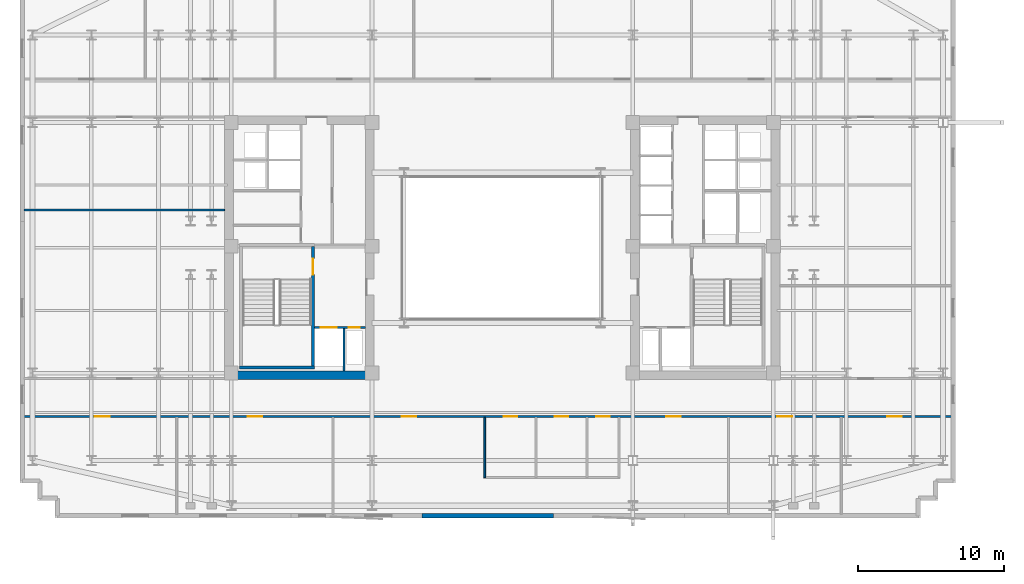
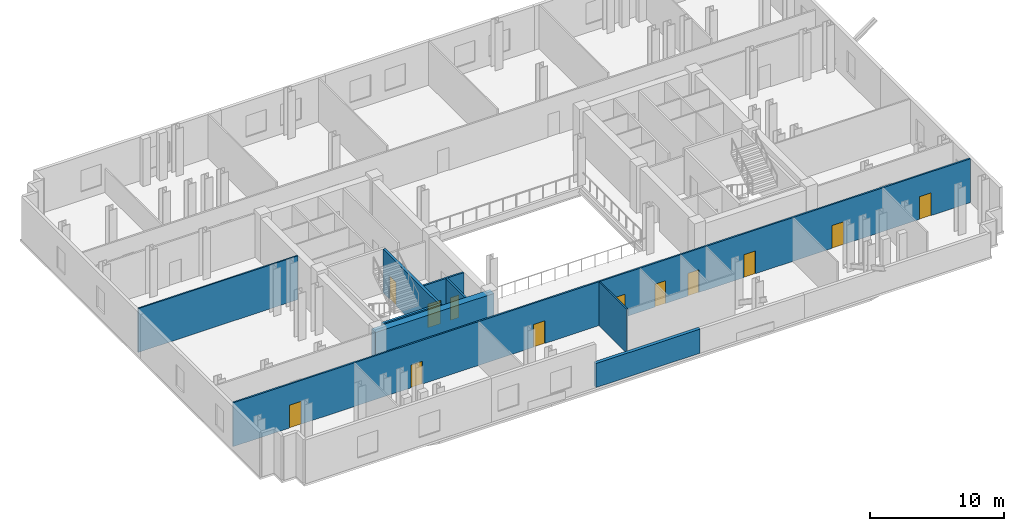
# One storey, part 4 of 9: 12 doors, 9 walls, 12 openings.
"""IFC4 building model written with IfcOpenShell, lengths in metres."""

from ifc_helpers import new_model, si_unit, direction, frame, frame_2d, origin, place, context, subcontext, project, spatial, rectangle, extrude, material, layer, layer_set, type_object, element, fill, save


model = new_model("IFC4")

# Units and contexts
model_context = context("Model", 3, precision=1e-05, world=origin(), true_north=direction((0.0, 1.0)))
body_context = subcontext(model_context, "Body", "Model", "MODEL_VIEW")
ifc_project = project(units=[si_unit("LENGTHUNIT", "METRE"), si_unit("AREAUNIT", "SQUARE_METRE"), si_unit("VOLUMEUNIT", "CUBIC_METRE"), si_unit("PLANEANGLEUNIT", "RADIAN"), si_unit("MASSUNIT", "GRAM", prefix="KILO")], contexts=[model_context])

# Site, building, storey
site_placement = place(None, origin())
site = spatial("IfcSite", under=ifc_project, at=site_placement, CompositionType="ELEMENT")
building_placement = place(site_placement, origin())
building = spatial("IfcBuilding", under=site, at=building_placement, Name="Velakula Bourse", CompositionType="ELEMENT")
storey_placement = place(building_placement, frame((0.0, 0.0, 151.89990234375)))
storey = spatial("IfcBuildingStorey", under=building, at=storey_placement, Name="L41", CompositionType="ELEMENT", Elevation=151.89990234375)

# Wall, opening, door
ifc_material_1 = material(Name="Concrete M50 (fck 50 MPa)", Category="concrete")
ifc_layer_1 = layer(ifc_material_1, 0.2099609375, Name="Concrete M50 (fck 50 MPa)", Category="concrete")
ifc_layer_set_1 = layer_set([ifc_layer_1], Name="Concrete M50 (fck 50 MPa)")
wall_type_1 = type_object("IfcWallType", Name="WL-CORE-210", PredefinedType="SHEAR", material=ifc_layer_set_1)
wall_1_placement = place(storey_placement, frame((-12.9951171875, -8.10009765625, 0.0), z_axis=(0.0, 0.0, 1.0), x_axis=(0.0, 1.0, 0.0)))
wall_1 = element("IfcWall", 1, at=wall_1_placement, inside=storey, type_object=wall_type_1, Name="L41 Core W Stairwell Shear Wall IN", PredefinedType="SHEAR", context=body_context, shape_type="SweptSolid", body=[
    extrude(rectangle(XDim=8.2001953125, YDim=0.2099609375, at=frame_2d((4.10009765625, 0.0))), origin(), (0.0, 0.0, 1.0), 4.02001953125),
])
opening_1_placement = place(wall_1_placement, frame((6.25, 0.0, 0.0)))
opening_1 = element("IfcOpeningElement", 2, at=opening_1_placement, cuts=wall_1, Name="Opening D-STW1", PredefinedType="OPENING", context=body_context, shape_type="SweptSolid", body=[
    extrude(rectangle(XDim=1.10009765625, YDim=2.14990234375, at=frame_2d((0.550048828125, 1.074951171875))), frame((0.0, 0.114990234375, 0.0), z_axis=(0.0, -1.0, 0.0), x_axis=(1.0, 0.0, 0.0)), (0.0, 0.0, 1.0), 0.22998046875),
])
ifc_material_2 = material(Name="Galvanised painted hollow steel fire door", Category="steel")
door_type_1 = type_object("IfcDoorType", Name="DR-FD120-1100x2150", OperationType="NOTDEFINED", PredefinedType="DOOR", material=ifc_material_2)
door_1_placement = place(opening_1_placement, origin())
door_1 = element("IfcDoor", 3, at=door_1_placement, inside=storey, type_object=door_type_1, Name="L41 Stair ST-W1 Fire Door", OperationType="SINGLE_SWING_LEFT", OverallHeight=2.14990234375, OverallWidth=1.10009765625, PredefinedType="DOOR", context=body_context, shape_type="SweptSolid", body=[
    extrude(rectangle(XDim=1.10009765625, YDim=2.14990234375, at=frame_2d((0.550048828125, 1.074951171875))), frame((0.0, 0.02490234375, 0.0), z_axis=(0.0, -1.0, 0.0), x_axis=(1.0, 0.0, 0.0)), (0.0, 0.0, 1.0), 0.050048828125),
])
fill(opening_1, door_1)

# Walls
wall_2_placement = place(storey_placement, frame((-18.030029296875, -8.205078125, 0.0), z_axis=(0.0, 0.0, 1.0), x_axis=(1.0, 0.0, 0.0)))
element("IfcWall", 4, at=wall_2_placement, inside=storey, type_object=wall_type_1, Name="L41 Core W Stairwell Shear Wall S", PredefinedType="SHEAR", context=body_context, shape_type="SweptSolid", body=[
    extrude(rectangle(XDim=5.14013671875, YDim=0.2099609375, at=frame_2d((2.570068359375, 0.0))), origin(), (0.0, 0.0, 1.0), 4.02001953125),
])
ifc_material_3 = material(Name="Concrete M70 (fck 70 MPa)", Category="concrete")
ifc_layer_2 = layer(ifc_material_3, 0.60009765625, Name="Concrete M70 (fck 70 MPa)", Category="concrete")
ifc_layer_set_2 = layer_set([ifc_layer_2], Name="Concrete M70 (fck 70 MPa)")
wall_type_2 = type_object("IfcWallType", Name="WL-CORE-600", PredefinedType="SHEAR", material=ifc_layer_set_2)
wall_3_placement = place(storey_placement, frame((-19.050048828125, -8.75, 0.0), z_axis=(0.0, 0.0, 1.0), x_axis=(1.0, 0.0, 0.0)))
element("IfcWall", 5, at=wall_3_placement, inside=storey, type_object=wall_type_2, Name="L41 Core W Shear Wall S", PredefinedType="SHEAR", context=body_context, shape_type="SweptSolid", body=[
    extrude(rectangle(XDim=10.25, YDim=0.60009765625, at=frame_2d((5.125, 0.0))), origin(), (0.0, 0.0, 1.0), 4.02001953125),
])
ifc_material_4 = material(Name="Red kilned clay facing brick masonry", Category="masonry")
ifc_layer_3 = layer(ifc_material_4, 0.280029296875, Name="Red kilned clay facing brick masonry", Category="masonry")
ifc_layer_set_3 = layer_set([ifc_layer_3], Name="Red kilned clay facing brick masonry")
wall_type_3 = type_object("IfcWallType", Name="WL-EXT-BRK-280", PredefinedType="STANDARD", material=ifc_layer_set_3)
wall_4_placement = place(storey_placement, frame((3.5, -18.389892578125, 0.0), z_axis=(0.0, 0.0, 1.0), x_axis=(-1.0, 0.0, 0.0)))
element("IfcWall", 6, at=wall_4_placement, inside=storey, type_object=wall_type_3, Name="L41 S Brick Spandrel Wall B3", PredefinedType="STANDARD", context=body_context, shape_type="SweptSolid", body=[
    extrude(rectangle(XDim=9.0, YDim=0.280029296875, at=frame_2d((4.5, 0.0))), origin(), (0.0, 0.0, 1.0), 2.195068359375),
])
ifc_material_5 = material(Name="Fire-rated double-layer gypsum drywall partition", Category="gypsum")
ifc_layer_4 = layer(ifc_material_5, 0.1201171875, Name="Fire-rated double-layer gypsum drywall partition", Category="gypsum")
ifc_layer_set_4 = layer_set([ifc_layer_4], Name="Fire-rated double-layer gypsum drywall partition")
wall_type_4 = type_object("IfcWallType", Name="WL-PART-120", PredefinedType="STANDARD", material=ifc_layer_set_4)
wall_5_placement = place(storey_placement, frame((-1.199951171875, -15.77001953125, 0.0), z_axis=(0.0, 0.0, 1.0), x_axis=(0.0, 1.0, 0.0)))
element("IfcWall", 7, at=wall_5_placement, inside=storey, type_object=wall_type_4, Name="L41 Interior Partition WL-WC-L41-V1", PredefinedType="STANDARD", context=body_context, shape_type="SweptSolid", body=[
    extrude(rectangle(XDim=4.130126953125, YDim=0.1201171875, at=frame_2d((2.06494140625, 0.0))), origin(), (0.0, 0.0, 1.0), 4.0),
])
wall_6_placement = place(storey_placement, frame((-32.820068359375, 2.60009765625, 0.0), z_axis=(0.0, 0.0, 1.0), x_axis=(1.0, 0.0, 0.0)))
element("IfcWall", 8, at=wall_6_placement, inside=storey, type_object=wall_type_4, Name="L41 Interior Partition WL-INT-L41-W-H", PredefinedType="STANDARD", context=body_context, shape_type="SweptSolid", body=[
    extrude(rectangle(XDim=13.77001953125, YDim=0.1201171875, at=frame_2d((6.885009765625, 0.0))), origin(), (0.0, 0.0, 1.0), 4.0),
])

# Wall, openings, doors
ifc_layer_5 = layer(ifc_material_5, 0.139892578125, Name="Fire-rated double-layer gypsum drywall partition", Category="gypsum")
ifc_layer_set_5 = layer_set([ifc_layer_5], Name="Fire-rated double-layer gypsum drywall partition")
wall_type_5 = type_object("IfcWallType", Name="WL-PART-140", PredefinedType="STANDARD", material=ifc_layer_set_5)
wall_7_placement = place(storey_placement, frame((-32.820068359375, -11.570068359375, 0.0), z_axis=(0.0, 0.0, 1.0), x_axis=(1.0, 0.0, 0.0)))
wall_7 = element("IfcWall", 9, at=wall_7_placement, inside=storey, type_object=wall_type_5, Name="L41 Interior Partition WL-INT-L41-S-CORR", PredefinedType="STANDARD", context=body_context, shape_type="SweptSolid", body=[
    extrude(rectangle(XDim=63.64013671875, YDim=0.139892578125, at=frame_2d((31.820068359375, 0.0))), origin(), (0.0, 0.0, 1.0), 4.0),
])
opening_2_placement = place(wall_7_placement, frame((32.909912109375, 0.0, 0.0)))
opening_2 = element("IfcOpeningElement", 10, at=opening_2_placement, cuts=wall_7, Name="Opening D-WT1", PredefinedType="OPENING", context=body_context, shape_type="SweptSolid", body=[
    extrude(rectangle(XDim=0.919921875, YDim=2.080078125, at=frame_2d((0.4599609375, 1.0400390625))), frame((0.0, 0.079833984375, 0.0), z_axis=(0.0, -1.0, 0.0), x_axis=(1.0, 0.0, 0.0)), (0.0, 0.0, 1.0), 0.159912109375),
])
opening_3_placement = place(wall_7_placement, frame((36.409912109375, 0.0, 0.0)))
opening_3 = element("IfcOpeningElement", 11, at=opening_3_placement, cuts=wall_7, Name="Opening D-WT1", PredefinedType="OPENING", context=body_context, shape_type="SweptSolid", body=[
    extrude(rectangle(XDim=0.919921875, YDim=2.080078125, at=frame_2d((0.4599609375, 1.0400390625))), frame((0.0, 0.079833984375, 0.0), z_axis=(0.0, -1.0, 0.0), x_axis=(1.0, 0.0, 0.0)), (0.0, 0.0, 1.0), 0.159912109375),
])
opening_4_placement = place(wall_7_placement, frame((39.260009765625, 0.0, 0.0)))
opening_4 = element("IfcOpeningElement", 12, at=opening_4_placement, cuts=wall_7, Name="Opening D-WC1", PredefinedType="OPENING", context=body_context, shape_type="SweptSolid", body=[
    extrude(rectangle(XDim=0.919921875, YDim=2.080078125, at=frame_2d((0.4599609375, 1.0400390625))), frame((0.0, 0.079833984375, 0.0), z_axis=(0.0, -1.0, 0.0), x_axis=(1.0, 0.0, 0.0)), (0.0, 0.0, 1.0), 0.159912109375),
])
opening_5_placement = place(wall_7_placement, frame((4.863525390625, 0.0, 0.0)))
opening_5 = element("IfcOpeningElement", 13, at=opening_5_placement, cuts=wall_7, Name="Opening D-OF1", PredefinedType="OPENING", context=body_context, shape_type="SweptSolid", body=[
    extrude(rectangle(XDim=1.0, YDim=2.080078125, at=frame_2d((0.5, 1.0400390625))), frame((0.0, 0.079833984375, 0.0), z_axis=(0.0, -1.0, 0.0), x_axis=(1.0, 0.0, 0.0)), (0.0, 0.0, 1.0), 0.159912109375),
])
opening_6_placement = place(wall_7_placement, frame((15.340087890625, 0.0, 0.0)))
opening_6 = element("IfcOpeningElement", 14, at=opening_6_placement, cuts=wall_7, Name="Opening D-OF1", PredefinedType="OPENING", context=body_context, shape_type="SweptSolid", body=[
    extrude(rectangle(XDim=1.0, YDim=2.080078125, at=frame_2d((0.5, 1.0400390625))), frame((0.0, 0.079833984375, 0.0), z_axis=(0.0, -1.0, 0.0), x_axis=(1.0, 0.0, 0.0)), (0.0, 0.0, 1.0), 0.159912109375),
])
opening_7_placement = place(wall_7_placement, frame((25.91259765625, 0.0, 0.0)))
opening_7 = element("IfcOpeningElement", 15, at=opening_7_placement, cuts=wall_7, Name="Opening D-OF1", PredefinedType="OPENING", context=body_context, shape_type="SweptSolid", body=[
    extrude(rectangle(XDim=1.0, YDim=2.080078125, at=frame_2d((0.5, 1.0400390625))), frame((0.0, 0.079833984375, 0.0), z_axis=(0.0, -1.0, 0.0), x_axis=(1.0, 0.0, 0.0)), (0.0, 0.0, 1.0), 0.159912109375),
])
opening_8_placement = place(wall_7_placement, frame((44.075439453125, 0.0, 0.0)))
opening_8 = element("IfcOpeningElement", 16, at=opening_8_placement, cuts=wall_7, Name="Opening D-OF1", PredefinedType="OPENING", context=body_context, shape_type="SweptSolid", body=[
    extrude(rectangle(XDim=1.0, YDim=2.080078125, at=frame_2d((0.5, 1.0400390625))), frame((0.0, 0.079833984375, 0.0), z_axis=(0.0, -1.0, 0.0), x_axis=(1.0, 0.0, 0.0)), (0.0, 0.0, 1.0), 0.159912109375),
])
opening_9_placement = place(wall_7_placement, frame((51.699951171875, 0.0, 0.0)))
opening_9 = element("IfcOpeningElement", 17, at=opening_9_placement, cuts=wall_7, Name="Opening D-OF1", PredefinedType="OPENING", context=body_context, shape_type="SweptSolid", body=[
    extrude(rectangle(XDim=1.0, YDim=2.080078125, at=frame_2d((0.5, 1.0400390625))), frame((0.0, 0.079833984375, 0.0), z_axis=(0.0, -1.0, 0.0), x_axis=(1.0, 0.0, 0.0)), (0.0, 0.0, 1.0), 0.159912109375),
])
opening_10_placement = place(wall_7_placement, frame((59.228515625, 0.0, 0.0)))
opening_10 = element("IfcOpeningElement", 18, at=opening_10_placement, cuts=wall_7, Name="Opening D-OF1", PredefinedType="OPENING", context=body_context, shape_type="SweptSolid", body=[
    extrude(rectangle(XDim=1.0, YDim=2.080078125, at=frame_2d((0.5, 1.0400390625))), frame((0.0, 0.079833984375, 0.0), z_axis=(0.0, -1.0, 0.0), x_axis=(1.0, 0.0, 0.0)), (0.0, 0.0, 1.0), 0.159912109375),
])
ifc_material_6 = material(Name="Fire-rated hardwood flush architectural door", Category="wood")
door_type_2 = type_object("IfcDoorType", Name="DR-OFF-1000", OperationType="NOTDEFINED", PredefinedType="DOOR", material=ifc_material_6)
door_2_placement = place(opening_5_placement, origin())
door_2 = element("IfcDoor", 19, at=door_2_placement, inside=storey, type_object=door_type_2, Name="L41 Economic Reference Library Door", OperationType="SINGLE_SWING_LEFT", OverallHeight=2.080078125, OverallWidth=1.0, PredefinedType="DOOR", context=body_context, shape_type="SweptSolid", body=[
    extrude(rectangle(XDim=1.0, YDim=2.080078125, at=frame_2d((0.5, 1.0400390625))), frame((0.0, 0.02490234375, 0.0), z_axis=(0.0, -1.0, 0.0), x_axis=(1.0, 0.0, 0.0)), (0.0, 0.0, 1.0), 0.050048828125),
])
fill(opening_5, door_2)
door_3_placement = place(opening_6_placement, origin())
door_3 = element("IfcDoor", 20, at=door_3_placement, inside=storey, type_object=door_type_2, Name="L41 Chief Risk Officer Chamber Door", OperationType="SINGLE_SWING_RIGHT", OverallHeight=2.080078125, OverallWidth=1.0, PredefinedType="DOOR", context=body_context, shape_type="SweptSolid", body=[
    extrude(rectangle(XDim=1.0, YDim=2.080078125, at=frame_2d((0.5, 1.0400390625))), frame((0.0, 0.02490234375, 0.0), z_axis=(0.0, -1.0, 0.0), x_axis=(1.0, 0.0, 0.0)), (0.0, 0.0, 1.0), 0.050048828125),
])
fill(opening_6, door_3)
door_4_placement = place(opening_7_placement, origin())
door_4 = element("IfcDoor", 21, at=door_4_placement, inside=storey, type_object=door_type_2, Name="L41 Executive Boardroom Door", OperationType="SINGLE_SWING_LEFT", OverallHeight=2.080078125, OverallWidth=1.0, PredefinedType="DOOR", context=body_context, shape_type="SweptSolid", body=[
    extrude(rectangle(XDim=1.0, YDim=2.080078125, at=frame_2d((0.5, 1.0400390625))), frame((0.0, 0.02490234375, 0.0), z_axis=(0.0, -1.0, 0.0), x_axis=(1.0, 0.0, 0.0)), (0.0, 0.0, 1.0), 0.050048828125),
])
fill(opening_7, door_4)
door_5_placement = place(opening_8_placement, origin())
door_5 = element("IfcDoor", 22, at=door_5_placement, inside=storey, type_object=door_type_2, Name="L41 Catering Servery Pantry Door", OperationType="SINGLE_SWING_RIGHT", OverallHeight=2.080078125, OverallWidth=1.0, PredefinedType="DOOR", context=body_context, shape_type="SweptSolid", body=[
    extrude(rectangle(XDim=1.0, YDim=2.080078125, at=frame_2d((0.5, 1.0400390625))), frame((0.0, 0.02490234375, 0.0), z_axis=(0.0, -1.0, 0.0), x_axis=(1.0, 0.0, 0.0)), (0.0, 0.0, 1.0), 0.050048828125),
])
fill(opening_8, door_5)
door_6_placement = place(opening_9_placement, origin())
door_6 = element("IfcDoor", 23, at=door_6_placement, inside=storey, type_object=door_type_2, Name="L41 Sovereign Debt Trading Workspace Door", OperationType="SINGLE_SWING_LEFT", OverallHeight=2.080078125, OverallWidth=1.0, PredefinedType="DOOR", context=body_context, shape_type="SweptSolid", body=[
    extrude(rectangle(XDim=1.0, YDim=2.080078125, at=frame_2d((0.5, 1.0400390625))), frame((0.0, 0.02490234375, 0.0), z_axis=(0.0, -1.0, 0.0), x_axis=(1.0, 0.0, 0.0)), (0.0, 0.0, 1.0), 0.050048828125),
])
fill(opening_9, door_6)
door_7_placement = place(opening_10_placement, origin())
door_7 = element("IfcDoor", 24, at=door_7_placement, inside=storey, type_object=door_type_2, Name="L41 Chief Risk Officer Chamber Door", OperationType="SINGLE_SWING_RIGHT", OverallHeight=2.080078125, OverallWidth=1.0, PredefinedType="DOOR", context=body_context, shape_type="SweptSolid", body=[
    extrude(rectangle(XDim=1.0, YDim=2.080078125, at=frame_2d((0.5, 1.0400390625))), frame((0.0, 0.02490234375, 0.0), z_axis=(0.0, -1.0, 0.0), x_axis=(1.0, 0.0, 0.0)), (0.0, 0.0, 1.0), 0.050048828125),
])
fill(opening_10, door_7)
door_type_3 = type_object("IfcDoorType", Name="DR-WC-950", OperationType="NOTDEFINED", PredefinedType="DOOR", material=ifc_material_6)
door_8_placement = place(opening_2_placement, origin())
door_8 = element("IfcDoor", 25, at=door_8_placement, inside=storey, type_object=door_type_3, Name="L41 Male Staff Toilet Door", OperationType="SINGLE_SWING_RIGHT", OverallHeight=2.080078125, OverallWidth=0.919921875, PredefinedType="DOOR", context=body_context, shape_type="SweptSolid", body=[
    extrude(rectangle(XDim=0.919921875, YDim=2.080078125, at=frame_2d((0.4599609375, 1.0400390625))), frame((0.0, 0.02490234375, 0.0), z_axis=(0.0, -1.0, 0.0), x_axis=(1.0, 0.0, 0.0)), (0.0, 0.0, 1.0), 0.050048828125),
])
fill(opening_2, door_8)
door_9_placement = place(opening_3_placement, origin())
door_9 = element("IfcDoor", 26, at=door_9_placement, inside=storey, type_object=door_type_3, Name="L41 Female Staff Toilet Door", OperationType="SINGLE_SWING_LEFT", OverallHeight=2.080078125, OverallWidth=0.919921875, PredefinedType="DOOR", context=body_context, shape_type="SweptSolid", body=[
    extrude(rectangle(XDim=0.919921875, YDim=2.080078125, at=frame_2d((0.4599609375, 1.0400390625))), frame((0.0, 0.02490234375, 0.0), z_axis=(0.0, -1.0, 0.0), x_axis=(1.0, 0.0, 0.0)), (0.0, 0.0, 1.0), 0.050048828125),
])
fill(opening_3, door_9)
door_10_placement = place(opening_4_placement, origin())
door_10 = element("IfcDoor", 27, at=door_10_placement, inside=storey, type_object=door_type_3, Name="L41 Accessible WC Door", OperationType="SINGLE_SWING_RIGHT", OverallHeight=2.080078125, OverallWidth=0.919921875, PredefinedType="DOOR", context=body_context, shape_type="SweptSolid", body=[
    extrude(rectangle(XDim=0.919921875, YDim=2.080078125, at=frame_2d((0.4599609375, 1.0400390625))), frame((0.0, 0.02490234375, 0.0), z_axis=(0.0, -1.0, 0.0), x_axis=(1.0, 0.0, 0.0)), (0.0, 0.0, 1.0), 0.050048828125),
])
fill(opening_4, door_10)

ifc_material_7 = material(Name="Autoclaved aerated concrete blockwork masonry", Category="masonry")
ifc_layer_6 = layer(ifc_material_7, 0.14990234375, Name="Autoclaved aerated concrete blockwork masonry", Category="masonry")
ifc_layer_set_6 = layer_set([ifc_layer_6], Name="Autoclaved aerated concrete blockwork masonry")
wall_type_6 = type_object("IfcWallType", Name="WL-SHAFT-150", PredefinedType="STANDARD", material=ifc_layer_set_6)
wall_8_placement = place(storey_placement, frame((-12.89501953125, -5.47509765625, 0.0), z_axis=(0.0, 0.0, 1.0), x_axis=(1.0, 0.0, 0.0)))
wall_8 = element("IfcWall", 28, at=wall_8_placement, inside=storey, type_object=wall_type_6, Name="L41 Interior Partition WL-CRW-L41-FFL-N", PredefinedType="STANDARD", context=body_context, shape_type="SweptSolid", body=[
    extrude(rectangle(XDim=3.4951171875, YDim=0.14990234375, at=frame_2d((1.74755859375, 0.0))), origin(), (0.0, 0.0, 1.0), 4.0),
])
opening_11_placement = place(wall_8_placement, frame((0.419921875, 0.0, 0.0)))
opening_11 = element("IfcOpeningElement", 29, at=opening_11_placement, cuts=wall_8, Name="Opening LD-FFL-1", PredefinedType="OPENING", context=body_context, shape_type="SweptSolid", body=[
    extrude(rectangle(XDim=1.10009765625, YDim=2.14990234375, at=frame_2d((0.550048828125, 1.074951171875))), frame((0.0, 0.0849609375, 0.0), z_axis=(0.0, -1.0, 0.0), x_axis=(1.0, 0.0, 0.0)), (0.0, 0.0, 1.0), 0.169921875),
])
opening_12_placement = place(wall_8_placement, frame((2.3701171875, 0.0, 0.0)))
opening_12 = element("IfcOpeningElement", 30, at=opening_12_placement, cuts=wall_8, Name="Opening D-RS1", PredefinedType="OPENING", context=body_context, shape_type="SweptSolid", body=[
    extrude(rectangle(XDim=0.75, YDim=2.050048828125, at=frame_2d((0.375, 1.02490234375))), frame((0.0, 0.0849609375, 0.0), z_axis=(0.0, -1.0, 0.0), x_axis=(1.0, 0.0, 0.0)), (0.0, 0.0, 1.0), 0.169921875),
])
door_type_4 = type_object("IfcDoorType", Name="DR-RISER-800", OperationType="NOTDEFINED", PredefinedType="DOOR", material=ifc_material_2)
door_11_placement = place(opening_12_placement, origin())
door_11 = element("IfcDoor", 31, at=door_11_placement, inside=storey, type_object=door_type_4, Name="L41 Fire Riser Access Door", OperationType="SINGLE_SWING_LEFT", OverallHeight=2.050048828125, OverallWidth=0.75, PredefinedType="DOOR", context=body_context, shape_type="SweptSolid", body=[
    extrude(rectangle(XDim=0.75, YDim=2.050048828125, at=frame_2d((0.375, 1.02490234375))), frame((0.0, 0.02490234375, 0.0), z_axis=(0.0, -1.0, 0.0), x_axis=(1.0, 0.0, 0.0)), (0.0, 0.0, 1.0), 0.050048828125),
])
fill(opening_12, door_11)
ifc_material_8 = material(Name="Brushed grade 316 stainless steel", Category="steel")
door_type_5 = type_object("IfcDoorType", Name="DR-SLIDE-FFL-1100", OperationType="DOUBLE_DOOR_SLIDING", PredefinedType="DOOR", material=ifc_material_8)
door_12_placement = place(opening_11_placement, origin())
door_12 = element("IfcDoor", 32, at=door_12_placement, inside=storey, type_object=door_type_5, Name="L41 Firefighting Lift FFL-1 Sliding Landing Door", OperationType="DOUBLE_DOOR_SLIDING", OverallHeight=2.14990234375, OverallWidth=1.10009765625, PredefinedType="DOOR", context=body_context, shape_type="SweptSolid", body=[
    extrude(rectangle(XDim=1.10009765625, YDim=2.14990234375, at=frame_2d((0.550048828125, 1.074951171875))), frame((0.0, 0.02490234375, 0.0), z_axis=(0.0, -1.0, 0.0), x_axis=(1.0, 0.0, 0.0)), (0.0, 0.0, 1.0), 0.050048828125),
])
fill(opening_11, door_12)

# Wall
wall_9_placement = place(storey_placement, frame((-10.875, -8.449951171875, 0.0), z_axis=(0.0, 0.0, 1.0), x_axis=(0.0, 1.0, 0.0)))
element("IfcWall", 33, at=wall_9_placement, inside=storey, type_object=wall_type_6, Name="L41 Interior Partition WL-CRW-L41-FR-DIV", PredefinedType="STANDARD", context=body_context, shape_type="SweptSolid", body=[
    extrude(rectangle(XDim=2.89990234375, YDim=0.14990234375, at=frame_2d((1.449951171875, 0.0))), origin(), (0.0, 0.0, 1.0), 4.0),
])

save(model, "model.ifc")
